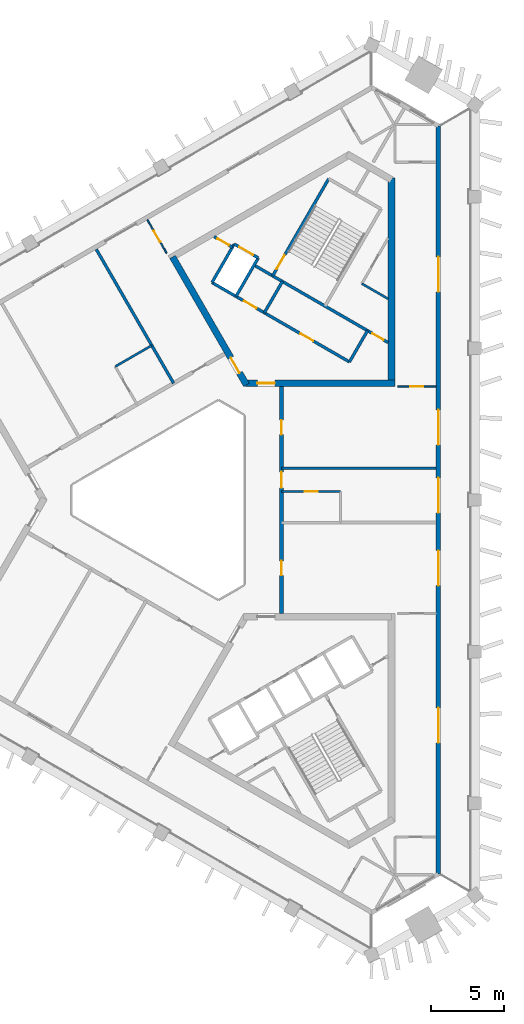
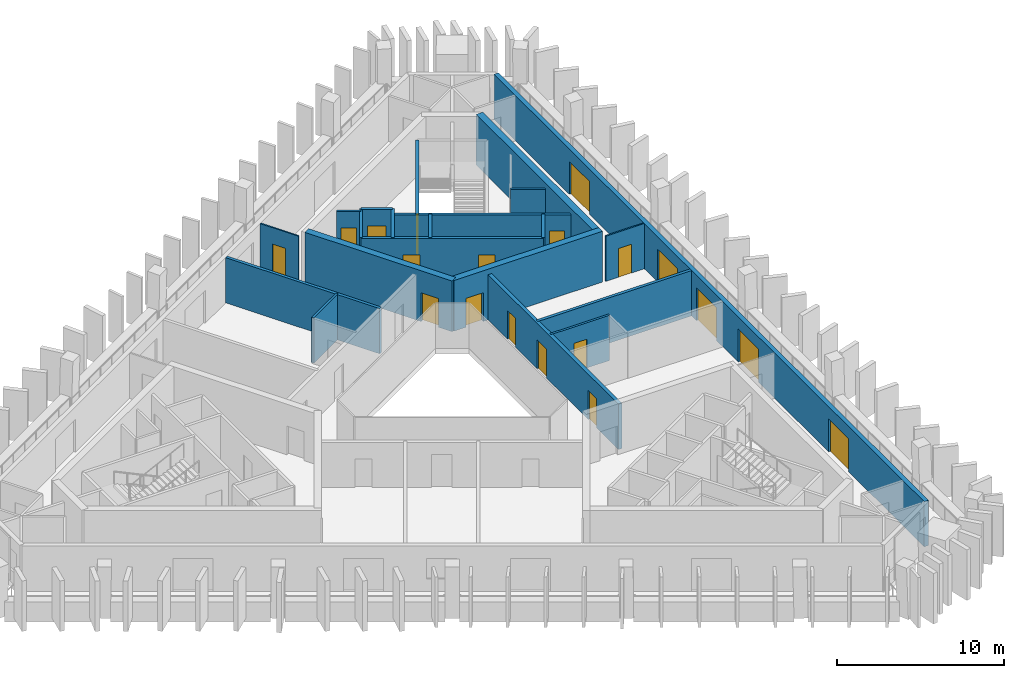
# One storey, part 5 of 9: 21 walls, 19 doors, 19 openings.
"""IFC4 building model written with IfcOpenShell, lengths in metres."""

from ifc_helpers import new_model, si_unit, direction, frame, frame_2d, origin, place, context, subcontext, project, spatial, rectangle, extrude, material, layer, layer_set, type_object, element, fill, save


model = new_model("IFC4")

# Units and contexts
model_context = context("Model", 3, precision=1e-05, world=origin(), true_north=direction((0.0, 1.0)))
body_context = subcontext(model_context, "Body", "Model", "MODEL_VIEW")
ifc_project = project(units=[si_unit("LENGTHUNIT", "METRE"), si_unit("AREAUNIT", "SQUARE_METRE"), si_unit("VOLUMEUNIT", "CUBIC_METRE"), si_unit("PLANEANGLEUNIT", "RADIAN"), si_unit("MASSUNIT", "GRAM", prefix="KILO")], contexts=[model_context])

# Site, building, storey
site_placement = place(None, origin())
site = spatial("IfcSite", under=ifc_project, at=site_placement, CompositionType="ELEMENT")
building_placement = place(site_placement, origin())
building = spatial("IfcBuilding", under=site, at=building_placement, Name="Jabali Bay Hotel Tower and Convention Centre", CompositionType="ELEMENT")
storey_placement = place(building_placement, frame((0.0, 0.0, 209.5)))
storey = spatial("IfcBuildingStorey", under=building, at=storey_placement, Name="L51", CompositionType="ELEMENT", Elevation=209.5)

# Wall, opening, door
ifc_material_1 = material(Name="Concrete C40", Category="concrete")
ifc_layer_1 = layer(ifc_material_1, 0.199951171875)
ifc_layer_set_1 = layer_set([ifc_layer_1], Name="Concrete C40")
wall_type_1 = type_object("IfcWallType", Name="Core partition wall 200", PredefinedType="PARTITIONING", material=ifc_layer_set_1)
wall_1_placement = place(storey_placement, frame((78.730224609375, 97.36083984375, 0.0), z_axis=(0.0, 0.0, 1.0), x_axis=(-0.866045896294, 0.499964504253, 0.0)))
wall_1 = element("IfcWall", 1, at=wall_1_placement, inside=storey, type_object=wall_type_1, Name="Core wall 1.10 L51", PredefinedType="PARTITIONING", context=body_context, shape_type="SweptSolid", body=[
    extrude(rectangle(XDim=1.455078125, YDim=0.199951171875, at=frame_2d((0.7275390625, 0.0))), origin(), (0.0, 0.0, 1.0), 3.300048828125),
])
opening_1_placement = place(wall_1_placement, frame((0.277587890625, 0.0, 0.0)))
opening_1 = element("IfcOpeningElement", 2, at=opening_1_placement, cuts=wall_1, Name="Opening D1107", PredefinedType="OPENING", context=body_context, shape_type="SweptSolid", body=[
    extrude(rectangle(XDim=0.89990234375, YDim=2.10009765625, at=frame_2d((0.449951171875, 1.050048828125))), frame((0.0, 0.1103515625, 0.0), z_axis=(0.0, -1.0, 0.0), x_axis=(1.0, 0.0, 0.0)), (0.0, 0.0, 1.0), 0.220947265625),
])
ifc_material_2 = material(Name="Fire-rated steel door", Category="steel")
door_type_1 = type_object("IfcDoorType", Name="Vestibule fire door 900 x 2100", OperationType="NOTDEFINED", PredefinedType="NOTDEFINED", material=ifc_material_2)
door_1_placement = place(opening_1_placement, origin())
door_1 = element("IfcDoor", 3, at=door_1_placement, inside=storey, type_object=door_type_1, Name="Vestibule fire door D1107", OperationType="SINGLE_SWING_LEFT", OverallHeight=2.10009765625, OverallWidth=0.89990234375, PredefinedType="NOTDEFINED", context=body_context, shape_type="SweptSolid", body=[
    extrude(rectangle(XDim=0.89990234375, YDim=2.10009765625, at=frame_2d((0.449951171875, 1.050048828125))), frame((0.0, 0.02490234375, 0.0), z_axis=(0.0, -1.0, 0.0), x_axis=(1.0, 0.0, 0.0)), (0.0, 0.0, 1.0), 0.050048828125),
])
fill(opening_1, door_1)

# Walls
ifc_material_3 = material(Name="Fire-rated board partition")
ifc_layer_2 = layer(ifc_material_3, 0.14990234375)
ifc_layer_set_2 = layer_set([ifc_layer_2], Name="Fire-rated board partition")
wall_type_2 = type_object("IfcWallType", Name="Core room partition 150", PredefinedType="PARTITIONING", material=ifc_layer_set_2)
wall_2_placement = place(storey_placement, frame((89.429931640625, 93.81591796875, 0.0), z_axis=(0.0, 0.0, 1.0), x_axis=(-0.866004557827, 0.500036104519, 0.0)))
element("IfcWall", 4, at=wall_2_placement, inside=storey, type_object=wall_type_2, Name="Core wall 1.12 L51", PredefinedType="PARTITIONING", context=body_context, shape_type="SweptSolid", body=[
    extrude(rectangle(XDim=2.088623046875, YDim=0.14990234375, at=frame_2d((1.04443359375, 0.0))), origin(), (0.0, 0.0, 1.0), 3.300048828125),
])
ifc_layer_3 = layer(ifc_material_1, 0.199951171875)
ifc_layer_set_3 = layer_set([ifc_layer_3], Name="Concrete C40")
wall_type_3 = type_object("IfcWallType", Name="Core stair wall 200", PredefinedType="SOLIDWALL", material=ifc_layer_set_3)
for number, where, z_axis, x_axis, name in (
    (5, (86.769775390625, 89.48583984375, 0.0), (0.0, 0.0, 1.0), (0.499961042966, 0.86604789447, 0.0), "Core wall 1.0 L51"),
    (6, (80.924072265625, 92.86083984375, 0.0), (0.0, 0.0, 1.0), (0.499961042966, 0.86604789447, 0.0), "Core wall 1.4 L51"),
):
    element("IfcWall", number, at=place(storey_placement, frame(where, z_axis=z_axis, x_axis=x_axis)), inside=storey, type_object=wall_type_3, Name=name, PredefinedType="SOLIDWALL", context=body_context, shape_type="SweptSolid", body=[
        extrude(rectangle(XDim=2.480224609375, YDim=0.199951171875, at=frame_2d((1.240234375, 0.0))), origin(), (0.0, 0.0, 1.0), 3.300048828125),
    ])

# Wall, opening, door
wall_3_placement = place(storey_placement, frame((81.492919921875, 95.396240234375, 0.0), z_axis=(0.0, 0.0, 1.0), x_axis=(0.500006057782, 0.866021906294, 0.0)))
wall_3 = element("IfcWall", 7, at=wall_3_placement, inside=storey, type_object=wall_type_3, Name="Core wall 1.5 L51", PredefinedType="SOLIDWALL", context=body_context, shape_type="SweptSolid", body=[
    extrude(rectangle(XDim=7.7001953125, YDim=0.199951171875, at=frame_2d((3.85009765625, 0.0))), origin(), (0.0, 0.0, 1.0), 3.300048828125),
])
opening_2_placement = place(wall_3_placement, frame((0.550048828125, 0.0, 0.0)))
opening_2 = element("IfcOpeningElement", 8, at=opening_2_placement, cuts=wall_3, Name="Opening D1109", PredefinedType="OPENING", context=body_context, shape_type="SweptSolid", body=[
    extrude(rectangle(XDim=1.10009765625, YDim=2.10009765625, at=frame_2d((0.550048828125, 1.050048828125))), frame((0.0, 0.1103515625, 0.0), z_axis=(0.0, -1.0, 0.0), x_axis=(1.0, 0.0, 0.0)), (0.0, 0.0, 1.0), 0.220947265625),
])
door_type_2 = type_object("IfcDoorType", Name="Stair fire door 1100 x 2100", OperationType="NOTDEFINED", PredefinedType="NOTDEFINED", material=ifc_material_2)
door_2_placement = place(opening_2_placement, origin())
door_2 = element("IfcDoor", 9, at=door_2_placement, inside=storey, type_object=door_type_2, Name="Stair fire door D1109", OperationType="SINGLE_SWING_RIGHT", OverallHeight=2.10009765625, OverallWidth=1.10009765625, PredefinedType="NOTDEFINED", context=body_context, shape_type="SweptSolid", body=[
    extrude(rectangle(XDim=1.10009765625, YDim=2.10009765625, at=frame_2d((0.550048828125, 1.050048828125))), frame((0.0, 0.02490234375, 0.0), z_axis=(0.0, -1.0, 0.0), x_axis=(1.0, 0.0, 0.0)), (0.0, 0.0, 1.0), 0.050048828125),
])
fill(opening_2, door_2)

# Walls
for number, where, z_axis, x_axis, name in (
    (10, (78.9755859375, 93.98583984375, 0.0), (0.0, 0.0, 1.0), (0.499944174705, 0.866057632134, 0.0), "Core wall 1.6 L51"),
    (11, (77.330078125, 94.93603515625, 0.0), (0.0, 0.0, 1.0), (0.500038867431, 0.8660029625, 0.0), "Core wall 1.7 L51"),
):
    element("IfcWall", number, at=place(storey_placement, frame(where, z_axis=z_axis, x_axis=x_axis)), inside=storey, type_object=wall_type_3, Name=name, PredefinedType="SOLIDWALL", context=body_context, shape_type="SweptSolid", body=[
        extrude(rectangle(XDim=3.050048828125, YDim=0.199951171875, at=frame_2d((1.52490234375, 0.0))), origin(), (0.0, 0.0, 1.0), 3.300048828125),
    ])

# Wall, openings, doors
wall_4_placement = place(storey_placement, frame((86.769775390625, 89.48583984375, 0.0), z_axis=(0.0, 0.0, 1.0), x_axis=(-0.86601811187, 0.500012629753, 0.0)))
wall_4 = element("IfcWall", 12, at=wall_4_placement, inside=storey, type_object=wall_type_3, Name="Core wall 1.8 L51", PredefinedType="SOLIDWALL", context=body_context, shape_type="SweptSolid", body=[
    extrude(rectangle(XDim=10.900146484375, YDim=0.199951171875, at=frame_2d((5.4501953125, 0.0))), origin(), (0.0, 0.0, 1.0), 3.300048828125),
])
opening_3_placement = place(wall_4_placement, frame((2.875, 0.0, 0.0)))
opening_3 = element("IfcOpeningElement", 13, at=opening_3_placement, cuts=wall_4, Name="Opening D1105", PredefinedType="OPENING", context=body_context, shape_type="SweptSolid", body=[
    extrude(rectangle(XDim=1.0, YDim=2.10009765625, at=frame_2d((0.5, 1.050048828125))), frame((0.0, 0.1103515625, 0.0), z_axis=(0.0, -1.0, 0.0), x_axis=(1.0, 0.0, 0.0)), (0.0, 0.0, 1.0), 0.220947265625),
])
opening_4_placement = place(wall_4_placement, frame((7.375, 0.0, 0.0)))
opening_4 = element("IfcOpeningElement", 14, at=opening_4_placement, cuts=wall_4, Name="Opening D1106", PredefinedType="OPENING", context=body_context, shape_type="SweptSolid", body=[
    extrude(rectangle(XDim=1.0, YDim=2.10009765625, at=frame_2d((0.5, 1.050048828125))), frame((0.0, 0.1103515625, 0.0), z_axis=(0.0, -1.0, 0.0), x_axis=(1.0, 0.0, 0.0)), (0.0, 0.0, 1.0), 0.220947265625),
])
door_type_3 = type_object("IfcDoorType", Name="Core room door 1000 x 2100", OperationType="NOTDEFINED", PredefinedType="NOTDEFINED", material=ifc_material_2)
door_3_placement = place(opening_3_placement, origin())
door_3 = element("IfcDoor", 15, at=door_3_placement, inside=storey, type_object=door_type_3, Name="Core room door D1105", OperationType="SINGLE_SWING_RIGHT", OverallHeight=2.10009765625, OverallWidth=1.0, PredefinedType="NOTDEFINED", context=body_context, shape_type="SweptSolid", body=[
    extrude(rectangle(XDim=1.0, YDim=2.10009765625, at=frame_2d((0.5, 1.050048828125))), frame((0.0, 0.02490234375, 0.0), z_axis=(0.0, -1.0, 0.0), x_axis=(1.0, 0.0, 0.0)), (0.0, 0.0, 1.0), 0.050048828125),
])
fill(opening_3, door_3)
door_4_placement = place(opening_4_placement, origin())
door_4 = element("IfcDoor", 16, at=door_4_placement, inside=storey, type_object=door_type_3, Name="Core room door D1106", OperationType="SINGLE_SWING_RIGHT", OverallHeight=2.10009765625, OverallWidth=1.0, PredefinedType="NOTDEFINED", context=body_context, shape_type="SweptSolid", body=[
    extrude(rectangle(XDim=1.0, YDim=2.10009765625, at=frame_2d((0.5, 1.050048828125))), frame((0.0, 0.02490234375, 0.0), z_axis=(0.0, -1.0, 0.0), x_axis=(1.0, 0.0, 0.0)), (0.0, 0.0, 1.0), 0.050048828125),
])
fill(opening_4, door_4)

# Wall, opening, door
wall_5_placement = place(storey_placement, frame((89.429931640625, 90.813720703125, 0.0), z_axis=(0.0, 0.0, 1.0), x_axis=(-0.866018983788, 0.500011119594, 0.0)))
wall_5 = element("IfcWall", 17, at=wall_5_placement, inside=storey, type_object=wall_type_3, Name="Core wall 1.9 L51", PredefinedType="SOLIDWALL", context=body_context, shape_type="SweptSolid", body=[
    extrude(rectangle(XDim=10.639892578125, YDim=0.199951171875, at=frame_2d((5.31982421875, 0.0))), origin(), (0.0, 0.0, 1.0), 3.300048828125),
])
opening_5_placement = place(wall_5_placement, frame((0.369873046875, 0.0, 0.0)))
opening_5 = element("IfcOpeningElement", 18, at=opening_5_placement, cuts=wall_5, Name="Opening D1108", PredefinedType="OPENING", context=body_context, shape_type="SweptSolid", body=[
    extrude(rectangle(XDim=0.89990234375, YDim=2.10009765625, at=frame_2d((0.449951171875, 1.050048828125))), frame((0.0, 0.1103515625, 0.0), z_axis=(0.0, -1.0, 0.0), x_axis=(1.0, 0.0, 0.0)), (0.0, 0.0, 1.0), 0.220947265625),
])
door_5_placement = place(opening_5_placement, origin())
door_5 = element("IfcDoor", 19, at=door_5_placement, inside=storey, type_object=door_type_1, Name="Vestibule fire door D1108", OperationType="SINGLE_SWING_LEFT", OverallHeight=2.10009765625, OverallWidth=0.89990234375, PredefinedType="NOTDEFINED", context=body_context, shape_type="SweptSolid", body=[
    extrude(rectangle(XDim=0.89990234375, YDim=2.10009765625, at=frame_2d((0.449951171875, 1.050048828125))), frame((0.0, 0.02490234375, 0.0), z_axis=(0.0, -1.0, 0.0), x_axis=(1.0, 0.0, 0.0)), (0.0, 0.0, 1.0), 0.050048828125),
])
fill(opening_5, door_5)

wall_6_placement = place(storey_placement, frame((80.50048828125, 96.62744140625, 0.0), z_axis=(0.0, 0.0, 1.0), x_axis=(-0.86601224135, 0.500022797313, 0.0)))
wall_6 = element("IfcWall", 20, at=wall_6_placement, inside=storey, type_object=wall_type_3, Name="Core wall 1.11 L51", PredefinedType="SOLIDWALL", context=body_context, shape_type="SweptSolid", body=[
    extrude(rectangle(XDim=1.89990234375, YDim=0.199951171875, at=frame_2d((0.949951171875, 0.0))), origin(), (0.0, 0.0, 1.0), 3.300048828125),
])
opening_6_placement = place(wall_6_placement, frame((0.39990234375, 0.0, 0.0)))
opening_6 = element("IfcOpeningElement", 21, at=opening_6_placement, cuts=wall_6, Name="Opening LD10-L51", PredefinedType="OPENING", context=body_context, shape_type="SweptSolid", body=[
    extrude(rectangle(XDim=1.10009765625, YDim=2.10009765625, at=frame_2d((0.550048828125, 1.050048828125))), frame((0.0, 0.1103515625, 0.0), z_axis=(0.0, -1.0, 0.0), x_axis=(1.0, 0.0, 0.0)), (0.0, 0.0, 1.0), 0.220947265625),
])
ifc_material_4 = material(Name="Stainless steel landing door", Category="steel")
door_type_4 = type_object("IfcDoorType", Name="Landing door 1100 x 2100", OperationType="NOTDEFINED", PredefinedType="NOTDEFINED", material=ifc_material_4)
door_6_placement = place(opening_6_placement, origin())
door_6 = element("IfcDoor", 22, at=door_6_placement, inside=storey, type_object=door_type_4, Name="Landing doors LD10-L51", OperationType="SLIDING_TO_RIGHT", OverallHeight=2.10009765625, OverallWidth=1.10009765625, PredefinedType="NOTDEFINED", context=body_context, shape_type="SweptSolid", body=[
    extrude(rectangle(XDim=1.10009765625, YDim=2.10009765625, at=frame_2d((0.550048828125, 1.050048828125))), frame((0.0, 0.02490234375, 0.0), z_axis=(0.0, -1.0, 0.0), x_axis=(1.0, 0.0, 0.0)), (0.0, 0.0, 1.0), 0.050048828125),
])
fill(opening_6, door_6)

ifc_material_5 = material(Name="Concrete C60", Category="concrete")
ifc_layer_4 = layer(ifc_material_5, 0.449951171875)
ifc_layer_set_4 = layer_set([ifc_layer_4], Name="Concrete C60")
wall_type_4 = type_object("IfcWallType", Name="Core wall 450", PredefinedType="SHEAR", material=ifc_layer_set_4)
wall_7_placement = place(storey_placement, frame((79.6298828125, 88.019287109375, 0.0), z_axis=(0.0, 0.0, 1.0), x_axis=(1.0, 0.0, 0.0)))
wall_7 = element("IfcWall", 23, at=wall_7_placement, inside=storey, type_object=wall_type_4, Name="Core wall 2.1 L51", PredefinedType="SHEAR", context=body_context, shape_type="SweptSolid", body=[
    extrude(rectangle(XDim=10.25, YDim=0.449951171875, at=frame_2d((5.125, 0.0))), origin(), (0.0, 0.0, 1.0), 3.699951171875),
])
opening_7_placement = place(wall_7_placement, frame((0.820068359375, 0.0, 0.0)))
opening_7 = element("IfcOpeningElement", 24, at=opening_7_placement, cuts=wall_7, Name="Opening D1103", PredefinedType="OPENING", context=body_context, shape_type="SweptSolid", body=[
    extrude(rectangle(XDim=1.199951171875, YDim=2.10009765625, at=frame_2d((0.60009765625, 1.050048828125))), frame((0.0, 0.2353515625, 0.0), z_axis=(0.0, -1.0, 0.0), x_axis=(1.0, 0.0, 0.0)), (0.0, 0.0, 1.0), 0.470947265625),
])
door_type_5 = type_object("IfcDoorType", Name="Corridor end fire door 1200 x 2100", OperationType="NOTDEFINED", PredefinedType="NOTDEFINED", material=ifc_material_2)
door_7_placement = place(opening_7_placement, origin())
door_7 = element("IfcDoor", 25, at=door_7_placement, inside=storey, type_object=door_type_5, Name="Corridor end fire door D1103", OperationType="SINGLE_SWING_RIGHT", OverallHeight=2.10009765625, OverallWidth=1.199951171875, PredefinedType="NOTDEFINED", context=body_context, shape_type="SweptSolid", body=[
    extrude(rectangle(XDim=1.199951171875, YDim=2.10009765625, at=frame_2d((0.60009765625, 1.050048828125))), frame((0.0, 0.02490234375, 0.0), z_axis=(0.0, -1.0, 0.0), x_axis=(1.0, 0.0, 0.0)), (0.0, 0.0, 1.0), 0.050048828125),
])
fill(opening_7, door_7)

# Wall
wall_8_placement = place(storey_placement, frame((89.655029296875, 88.019287109375, 0.0), z_axis=(0.0, 0.0, 1.0), x_axis=(0.0, 1.0, 0.0)))
element("IfcWall", 26, at=wall_8_placement, inside=storey, type_object=wall_type_4, Name="Core wall 2.2 L51", PredefinedType="SHEAR", context=body_context, shape_type="SweptSolid", body=[
    extrude(rectangle(XDim=14.1083984375, YDim=0.449951171875, at=frame_2d((7.05419921875, 0.0))), origin(), (0.0, 0.0, 1.0), 3.699951171875),
])

# Wall, opening, door
wall_9_placement = place(storey_placement, frame((74.617431640625, 96.701171875, 0.0), z_axis=(0.0, 0.0, 1.0), x_axis=(0.499994385119, -0.866028645513, 0.0)))
wall_9 = element("IfcWall", 27, at=wall_9_placement, inside=storey, type_object=wall_type_4, Name="Core wall 2.5 L51", PredefinedType="SHEAR", context=body_context, shape_type="SweptSolid", body=[
    extrude(rectangle(XDim=10.15478515625, YDim=0.449951171875, at=frame_2d((5.077392578125, 0.0))), origin(), (0.0, 0.0, 1.0), 3.699951171875),
])
opening_8_placement = place(wall_9_placement, frame((8.0048828125, 0.0, 0.0)))
opening_8 = element("IfcOpeningElement", 28, at=opening_8_placement, cuts=wall_9, Name="Opening D1104", PredefinedType="OPENING", context=body_context, shape_type="SweptSolid", body=[
    extrude(rectangle(XDim=1.199951171875, YDim=2.10009765625, at=frame_2d((0.60009765625, 1.050048828125))), frame((0.0, 0.2353515625, 0.0), z_axis=(0.0, -1.0, 0.0), x_axis=(1.0, 0.0, 0.0)), (0.0, 0.0, 1.0), 0.470947265625),
])
door_8_placement = place(opening_8_placement, origin())
door_8 = element("IfcDoor", 29, at=door_8_placement, inside=storey, type_object=door_type_5, Name="Corridor end fire door D1104", OperationType="SINGLE_SWING_LEFT", OverallHeight=2.10009765625, OverallWidth=1.199951171875, PredefinedType="NOTDEFINED", context=body_context, shape_type="SweptSolid", body=[
    extrude(rectangle(XDim=1.199951171875, YDim=2.10009765625, at=frame_2d((0.60009765625, 1.050048828125))), frame((0.0, 0.02490234375, 0.0), z_axis=(0.0, -1.0, 0.0), x_axis=(1.0, 0.0, 0.0)), (0.0, 0.0, 1.0), 0.050048828125),
])
fill(opening_8, door_8)

# Wall, openings, doors
ifc_layer_5 = layer(ifc_material_5, 0.25)
ifc_layer_set_5 = layer_set([ifc_layer_5], Name="Concrete C60")
wall_type_5 = type_object("IfcWallType", Name="Corridor wall 250", PredefinedType="SHEAR", material=ifc_layer_set_5)
wall_10_placement = place(storey_placement, frame((82.10009765625, 72.205810546875, 0.0), z_axis=(0.0, 0.0, 1.0), x_axis=(0.0, 1.0, 0.0)))
wall_10 = element("IfcWall", 30, at=wall_10_placement, inside=storey, type_object=wall_type_5, Name="Corridor wall 1 L51", PredefinedType="SHEAR", context=body_context, shape_type="SweptSolid", body=[
    extrude(rectangle(XDim=15.58837890625, YDim=0.25, at=frame_2d((7.794189453125, 0.0))), origin(), (0.0, 0.0, 1.0), 3.300048828125),
])
opening_9_placement = place(wall_10_placement, frame((2.61767578125, 0.0, 0.0)))
opening_9 = element("IfcOpeningElement", 31, at=opening_9_placement, cuts=wall_10, Name="Opening 5101", PredefinedType="OPENING", context=body_context, shape_type="SweptSolid", body=[
    extrude(rectangle(XDim=1.0, YDim=2.10009765625, at=frame_2d((0.5, 1.050048828125))), frame((0.0, 0.135498046875, 0.0), z_axis=(0.0, -1.0, 0.0), x_axis=(1.0, 0.0, 0.0)), (0.0, 0.0, 1.0), 0.27099609375),
])
opening_10_placement = place(wall_10_placement, frame((8.626708984375, 0.0, 0.0)))
opening_10 = element("IfcOpeningElement", 32, at=opening_10_placement, cuts=wall_10, Name="Opening 5105", PredefinedType="OPENING", context=body_context, shape_type="SweptSolid", body=[
    extrude(rectangle(XDim=1.10009765625, YDim=2.10009765625, at=frame_2d((0.550048828125, 1.050048828125))), frame((0.0, 0.135498046875, 0.0), z_axis=(0.0, -1.0, 0.0), x_axis=(1.0, 0.0, 0.0)), (0.0, 0.0, 1.0), 0.27099609375),
])
opening_11_placement = place(wall_10_placement, frame((12.282470703125, 0.0, 0.0)))
opening_11 = element("IfcOpeningElement", 33, at=opening_11_placement, cuts=wall_10, Name="Opening 5106", PredefinedType="OPENING", context=body_context, shape_type="SweptSolid", body=[
    extrude(rectangle(XDim=1.0, YDim=2.10009765625, at=frame_2d((0.5, 1.050048828125))), frame((0.0, 0.135498046875, 0.0), z_axis=(0.0, -1.0, 0.0), x_axis=(1.0, 0.0, 0.0)), (0.0, 0.0, 1.0), 0.27099609375),
])
ifc_material_6 = material(Name="Timber", Category="wood")
door_type_6 = type_object("IfcDoorType", Name="Accessible guest room door 1100 x 2100", OperationType="NOTDEFINED", PredefinedType="NOTDEFINED", material=ifc_material_6)
door_9_placement = place(opening_10_placement, origin())
door_9 = element("IfcDoor", 34, at=door_9_placement, inside=storey, type_object=door_type_6, Name="Door 5105", OperationType="SINGLE_SWING_RIGHT", OverallHeight=2.10009765625, OverallWidth=1.10009765625, PredefinedType="NOTDEFINED", context=body_context, shape_type="SweptSolid", body=[
    extrude(rectangle(XDim=1.10009765625, YDim=2.10009765625, at=frame_2d((0.550048828125, 1.050048828125))), frame((0.0, 0.02490234375, 0.0), z_axis=(0.0, -1.0, 0.0), x_axis=(1.0, 0.0, 0.0)), (0.0, 0.0, 1.0), 0.050048828125),
])
fill(opening_10, door_9)
door_type_7 = type_object("IfcDoorType", Name="Guest room door 1000 x 2100", OperationType="NOTDEFINED", PredefinedType="NOTDEFINED", material=ifc_material_6)
door_10_placement = place(opening_9_placement, origin())
door_10 = element("IfcDoor", 35, at=door_10_placement, inside=storey, type_object=door_type_7, Name="Door 5101", OperationType="SINGLE_SWING_LEFT", OverallHeight=2.10009765625, OverallWidth=1.0, PredefinedType="NOTDEFINED", context=body_context, shape_type="SweptSolid", body=[
    extrude(rectangle(XDim=1.0, YDim=2.10009765625, at=frame_2d((0.5, 1.050048828125))), frame((0.0, 0.02490234375, 0.0), z_axis=(0.0, -1.0, 0.0), x_axis=(1.0, 0.0, 0.0)), (0.0, 0.0, 1.0), 0.050048828125),
])
fill(opening_9, door_10)
door_11_placement = place(opening_11_placement, origin())
door_11 = element("IfcDoor", 36, at=door_11_placement, inside=storey, type_object=door_type_7, Name="Door 5106", OperationType="SINGLE_SWING_RIGHT", OverallHeight=2.10009765625, OverallWidth=1.0, PredefinedType="NOTDEFINED", context=body_context, shape_type="SweptSolid", body=[
    extrude(rectangle(XDim=1.0, YDim=2.10009765625, at=frame_2d((0.5, 1.050048828125))), frame((0.0, 0.02490234375, 0.0), z_axis=(0.0, -1.0, 0.0), x_axis=(1.0, 0.0, 0.0)), (0.0, 0.0, 1.0), 0.050048828125),
])
fill(opening_11, door_11)

ifc_layer_6 = layer(ifc_material_1, 0.300048828125)
ifc_layer_set_6 = layer_set([ifc_layer_6], Name="Concrete C40")
wall_type_6 = type_object("IfcWallType", Name="External wall 300", PredefinedType="SOLIDWALL", material=ifc_layer_set_6)
wall_11_placement = place(storey_placement, frame((92.8759765625, 105.703125, 0.0), z_axis=(0.0, 0.0, 1.0), x_axis=(0.0, -1.0, 0.0)))
wall_11 = element("IfcWall", 37, at=wall_11_placement, inside=storey, type_object=wall_type_6, Name="External wall east face L51", PredefinedType="SOLIDWALL", context=body_context, shape_type="SweptSolid", body=[
    extrude(rectangle(XDim=51.40625, YDim=0.300048828125, at=frame_2d((25.703125, 0.0))), origin(), (0.0, 0.0, 1.0), 3.300048828125),
])
opening_12_placement = place(wall_11_placement, frame((24.19140625, 0.0, 0.0)))
opening_12 = element("IfcOpeningElement", 38, at=opening_12_placement, cuts=wall_11, Name="Opening SD1", PredefinedType="OPENING", context=body_context, shape_type="SweptSolid", body=[
    extrude(rectangle(XDim=2.39990234375, YDim=2.39990234375, at=frame_2d((1.199951171875, 1.199951171875))), frame((0.0, 0.16064453125, 0.0), z_axis=(0.0, -1.0, 0.0), x_axis=(1.0, 0.0, 0.0)), (0.0, 0.0, 1.0), 0.321044921875),
])
opening_13_placement = place(wall_11_placement, frame((29.1796875, 0.0, 0.0)))
opening_13 = element("IfcOpeningElement", 39, at=opening_13_placement, cuts=wall_11, Name="Opening SD1", PredefinedType="OPENING", context=body_context, shape_type="SweptSolid", body=[
    extrude(rectangle(XDim=2.39990234375, YDim=2.39990234375, at=frame_2d((1.199951171875, 1.199951171875))), frame((0.0, 0.16064453125, 0.0), z_axis=(0.0, -1.0, 0.0), x_axis=(1.0, 0.0, 0.0)), (0.0, 0.0, 1.0), 0.321044921875),
])
opening_14_placement = place(wall_11_placement, frame((39.983154296875, 0.0, 0.0)))
opening_14 = element("IfcOpeningElement", 40, at=opening_14_placement, cuts=wall_11, Name="Opening SD1", PredefinedType="OPENING", context=body_context, shape_type="SweptSolid", body=[
    extrude(rectangle(XDim=2.39990234375, YDim=2.39990234375, at=frame_2d((1.199951171875, 1.199951171875))), frame((0.0, 0.16064453125, 0.0), z_axis=(0.0, -1.0, 0.0), x_axis=(1.0, 0.0, 0.0)), (0.0, 0.0, 1.0), 0.321044921875),
])
opening_15_placement = place(wall_11_placement, frame((19.514892578125, 0.0, 0.0)))
opening_15 = element("IfcOpeningElement", 41, at=opening_15_placement, cuts=wall_11, Name="Opening SD1", PredefinedType="OPENING", context=body_context, shape_type="SweptSolid", body=[
    extrude(rectangle(XDim=2.39990234375, YDim=2.39990234375, at=frame_2d((1.199951171875, 1.199951171875))), frame((0.0, 0.16064453125, 0.0), z_axis=(0.0, -1.0, 0.0), x_axis=(1.0, 0.0, 0.0)), (0.0, 0.0, 1.0), 0.321044921875),
])
opening_16_placement = place(wall_11_placement, frame((9.0, 0.0, 0.0)))
opening_16 = element("IfcOpeningElement", 42, at=opening_16_placement, cuts=wall_11, Name="Opening SD1", PredefinedType="OPENING", context=body_context, shape_type="SweptSolid", body=[
    extrude(rectangle(XDim=2.39990234375, YDim=2.39990234375, at=frame_2d((1.199951171875, 1.199951171875))), frame((0.0, 0.16064453125, 0.0), z_axis=(0.0, -1.0, 0.0), x_axis=(1.0, 0.0, 0.0)), (0.0, 0.0, 1.0), 0.321044921875),
])
ifc_material_7 = material(Name="Glass", Category="glass")
door_type_8 = type_object("IfcDoorType", Name="Loggia sliding door 2400 x 2400", OperationType="NOTDEFINED", PredefinedType="NOTDEFINED", material=ifc_material_7)
door_12_placement = place(opening_12_placement, origin())
door_12 = element("IfcDoor", 43, at=door_12_placement, inside=storey, type_object=door_type_8, Name="Loggia sliding door 5102", OperationType="SLIDING_TO_LEFT", OverallHeight=2.39990234375, OverallWidth=2.39990234375, PredefinedType="NOTDEFINED", context=body_context, shape_type="SweptSolid", body=[
    extrude(rectangle(XDim=2.39990234375, YDim=2.39990234375, at=frame_2d((1.199951171875, 1.199951171875))), frame((0.0, 0.02490234375, 0.0), z_axis=(0.0, -1.0, 0.0), x_axis=(1.0, 0.0, 0.0)), (0.0, 0.0, 1.0), 0.050048828125),
])
fill(opening_12, door_12)
door_13_placement = place(opening_13_placement, origin())
door_13 = element("IfcDoor", 44, at=door_13_placement, inside=storey, type_object=door_type_8, Name="Loggia sliding door 5101", OperationType="SLIDING_TO_RIGHT", OverallHeight=2.39990234375, OverallWidth=2.39990234375, PredefinedType="NOTDEFINED", context=body_context, shape_type="SweptSolid", body=[
    extrude(rectangle(XDim=2.39990234375, YDim=2.39990234375, at=frame_2d((1.199951171875, 1.199951171875))), frame((0.0, 0.02490234375, 0.0), z_axis=(0.0, -1.0, 0.0), x_axis=(1.0, 0.0, 0.0)), (0.0, 0.0, 1.0), 0.050048828125),
])
fill(opening_13, door_13)
door_14_placement = place(opening_14_placement, origin())
door_14 = element("IfcDoor", 45, at=door_14_placement, inside=storey, type_object=door_type_8, Name="Loggia sliding door 5101", OperationType="SLIDING_TO_LEFT", OverallHeight=2.39990234375, OverallWidth=2.39990234375, PredefinedType="NOTDEFINED", context=body_context, shape_type="SweptSolid", body=[
    extrude(rectangle(XDim=2.39990234375, YDim=2.39990234375, at=frame_2d((1.199951171875, 1.199951171875))), frame((0.0, 0.02490234375, 0.0), z_axis=(0.0, -1.0, 0.0), x_axis=(1.0, 0.0, 0.0)), (0.0, 0.0, 1.0), 0.050048828125),
])
fill(opening_14, door_14)
door_15_placement = place(opening_15_placement, origin())
door_15 = element("IfcDoor", 46, at=door_15_placement, inside=storey, type_object=door_type_8, Name="Loggia sliding door 5103", OperationType="SLIDING_TO_RIGHT", OverallHeight=2.39990234375, OverallWidth=2.39990234375, PredefinedType="NOTDEFINED", context=body_context, shape_type="SweptSolid", body=[
    extrude(rectangle(XDim=2.39990234375, YDim=2.39990234375, at=frame_2d((1.199951171875, 1.199951171875))), frame((0.0, 0.02490234375, 0.0), z_axis=(0.0, -1.0, 0.0), x_axis=(1.0, 0.0, 0.0)), (0.0, 0.0, 1.0), 0.050048828125),
])
fill(opening_15, door_15)
door_16_placement = place(opening_16_placement, origin())
door_16 = element("IfcDoor", 47, at=door_16_placement, inside=storey, type_object=door_type_8, Name="Loggia sliding door 5103", OperationType="SLIDING_TO_LEFT", OverallHeight=2.39990234375, OverallWidth=2.39990234375, PredefinedType="NOTDEFINED", context=body_context, shape_type="SweptSolid", body=[
    extrude(rectangle(XDim=2.39990234375, YDim=2.39990234375, at=frame_2d((1.199951171875, 1.199951171875))), frame((0.0, 0.02490234375, 0.0), z_axis=(0.0, -1.0, 0.0), x_axis=(1.0, 0.0, 0.0)), (0.0, 0.0, 1.0), 0.050048828125),
])
fill(opening_16, door_16)

# Wall, opening, door
ifc_material_8 = material(Name="Plasterboard on steel stud", Category="steel")
ifc_layer_7 = layer(ifc_material_8, 0.10009765625)
ifc_layer_set_7 = layer_set([ifc_layer_7], Name="Plasterboard on steel stud")
wall_type_7 = type_object("IfcWallType", Name="Partition 100 unit", PredefinedType="PARTITIONING", material=ifc_layer_set_7)
wall_12_placement = place(storey_placement, frame((92.72705078125, 87.794189453125, 0.0), z_axis=(0.0, 0.0, 1.0), x_axis=(-1.0, 0.0, 0.0)))
wall_12 = element("IfcWall", 48, at=wall_12_placement, inside=storey, type_object=wall_type_7, Name="Partition P02 L51 011", PredefinedType="PARTITIONING", context=body_context, shape_type="SweptSolid", body=[
    extrude(rectangle(XDim=2.64794921875, YDim=0.10009765625, at=frame_2d((1.323974609375, 0.0))), origin(), (0.0, 0.0, 1.0), 3.300048828125),
])
opening_17_placement = place(wall_12_placement, frame((0.8740234375, 0.0, 0.0)))
opening_17 = element("IfcOpeningElement", 49, at=opening_17_placement, cuts=wall_12, Name="Opening 5107", PredefinedType="OPENING", context=body_context, shape_type="SweptSolid", body=[
    extrude(rectangle(XDim=0.89990234375, YDim=2.10009765625, at=frame_2d((0.449951171875, 1.050048828125))), frame((0.0, 0.060546875, 0.0), z_axis=(0.0, -1.0, 0.0), x_axis=(1.0, 0.0, 0.0)), (0.0, 0.0, 1.0), 0.12109375),
])
door_type_9 = type_object("IfcDoorType", Name="Internal door 900 x 2100", OperationType="NOTDEFINED", PredefinedType="NOTDEFINED", material=ifc_material_6)
door_17_placement = place(opening_17_placement, origin())
door_17 = element("IfcDoor", 50, at=door_17_placement, inside=storey, type_object=door_type_9, Name="Door 5107", OperationType="SINGLE_SWING_LEFT", OverallHeight=2.10009765625, OverallWidth=0.89990234375, PredefinedType="NOTDEFINED", context=body_context, shape_type="SweptSolid", body=[
    extrude(rectangle(XDim=0.89990234375, YDim=2.10009765625, at=frame_2d((0.449951171875, 1.050048828125))), frame((0.0, 0.02490234375, 0.0), z_axis=(0.0, -1.0, 0.0), x_axis=(1.0, 0.0, 0.0)), (0.0, 0.0, 1.0), 0.050048828125),
])
fill(opening_17, door_17)

wall_13_placement = place(storey_placement, frame((74.21044921875, 96.955810546875, 0.0), z_axis=(0.0, 0.0, 1.0), x_axis=(-0.49995654735, 0.86605048973, 0.0)))
wall_13 = element("IfcWall", 51, at=wall_13_placement, inside=storey, type_object=wall_type_7, Name="Partition P02 L51 016", PredefinedType="PARTITIONING", context=body_context, shape_type="SweptSolid", body=[
    extrude(rectangle(XDim=2.648193359375, YDim=0.10009765625, at=frame_2d((1.32421875, 0.0))), origin(), (0.0, 0.0, 1.0), 3.300048828125),
])
opening_18_placement = place(wall_13_placement, frame((0.8740234375, 0.0, 0.0)))
opening_18 = element("IfcOpeningElement", 52, at=opening_18_placement, cuts=wall_13, Name="Opening 5110", PredefinedType="OPENING", context=body_context, shape_type="SweptSolid", body=[
    extrude(rectangle(XDim=0.89990234375, YDim=2.10009765625, at=frame_2d((0.449951171875, 1.050048828125))), frame((0.0, 0.060546875, 0.0), z_axis=(0.0, -1.0, 0.0), x_axis=(1.0, 0.0, 0.0)), (0.0, 0.0, 1.0), 0.12109375),
])
door_18_placement = place(opening_18_placement, origin())
door_18 = element("IfcDoor", 53, at=door_18_placement, inside=storey, type_object=door_type_9, Name="Door 5110", OperationType="SINGLE_SWING_LEFT", OverallHeight=2.10009765625, OverallWidth=0.89990234375, PredefinedType="NOTDEFINED", context=body_context, shape_type="SweptSolid", body=[
    extrude(rectangle(XDim=0.89990234375, YDim=2.10009765625, at=frame_2d((0.449951171875, 1.050048828125))), frame((0.0, 0.02490234375, 0.0), z_axis=(0.0, -1.0, 0.0), x_axis=(1.0, 0.0, 0.0)), (0.0, 0.0, 1.0), 0.050048828125),
])
fill(opening_18, door_18)

ifc_layer_8 = layer(ifc_material_8, 0.14990234375)
ifc_layer_set_8 = layer_set([ifc_layer_8], Name="Plasterboard on steel stud")
wall_type_8 = type_object("IfcWallType", Name="Partition 150 wet", PredefinedType="PARTITIONING", material=ifc_layer_set_8)
wall_14_placement = place(storey_placement, frame((82.10009765625, 80.582275390625, 0.0), z_axis=(0.0, 0.0, 1.0), x_axis=(1.0, 0.0, 0.0)))
wall_14 = element("IfcWall", 54, at=wall_14_placement, inside=storey, type_object=wall_type_8, Name="Partition P03 L51 008", PredefinedType="PARTITIONING", context=body_context, shape_type="SweptSolid", body=[
    extrude(rectangle(XDim=4.06298828125, YDim=0.14990234375, at=frame_2d((2.031494140625, 0.0))), origin(), (0.0, 0.0, 1.0), 3.300048828125),
])
opening_19_placement = place(wall_14_placement, frame((1.58203125, 0.0, 0.0)))
opening_19 = element("IfcOpeningElement", 55, at=opening_19_placement, cuts=wall_14, Name="Opening 5104", PredefinedType="OPENING", context=body_context, shape_type="SweptSolid", body=[
    extrude(rectangle(XDim=0.89990234375, YDim=2.10009765625, at=frame_2d((0.449951171875, 1.050048828125))), frame((0.0, 0.08544921875, 0.0), z_axis=(0.0, -1.0, 0.0), x_axis=(1.0, 0.0, 0.0)), (0.0, 0.0, 1.0), 0.1708984375),
])
door_type_10 = type_object("IfcDoorType", Name="Accessible en-suite door 900 x 2100", OperationType="NOTDEFINED", PredefinedType="NOTDEFINED", material=ifc_material_6)
door_19_placement = place(opening_19_placement, origin())
door_19 = element("IfcDoor", 56, at=door_19_placement, inside=storey, type_object=door_type_10, Name="Door 5104", OperationType="SINGLE_SWING_RIGHT", OverallHeight=2.10009765625, OverallWidth=0.89990234375, PredefinedType="NOTDEFINED", context=body_context, shape_type="SweptSolid", body=[
    extrude(rectangle(XDim=0.89990234375, YDim=2.10009765625, at=frame_2d((0.449951171875, 1.050048828125))), frame((0.0, 0.02490234375, 0.0), z_axis=(0.0, -1.0, 0.0), x_axis=(1.0, 0.0, 0.0)), (0.0, 0.0, 1.0), 0.050048828125),
])
fill(opening_19, door_19)

# Walls
wall_15_placement = place(storey_placement, frame((70.678466796875, 89.16748046875, 0.0), z_axis=(0.0, 0.0, 1.0), x_axis=(0.866032775405, 0.499987231761, 0.0)))
element("IfcWall", 57, at=wall_15_placement, inside=storey, type_object=wall_type_8, Name="Partition P03 L51 022", PredefinedType="PARTITIONING", context=body_context, shape_type="SweptSolid", body=[
    extrude(rectangle(XDim=2.89990234375, YDim=0.14990234375, at=frame_2d((1.449951171875, 0.0))), origin(), (0.0, 0.0, 1.0), 3.300048828125),
])
ifc_layer_9 = layer(ifc_material_8, 0.199951171875)
ifc_layer_set_9 = layer_set([ifc_layer_9], Name="Plasterboard on steel stud")
wall_type_9 = type_object("IfcWallType", Name="Partition 200 party", PredefinedType="PARTITIONING", material=ifc_layer_set_9)
wall_16_placement = place(storey_placement, frame((92.72705078125, 82.182373046875, 0.0), z_axis=(0.0, 0.0, 1.0), x_axis=(-1.0, 0.0, 0.0)))
element("IfcWall", 58, at=wall_16_placement, inside=storey, type_object=wall_type_9, Name="Partition P01 L51 010", PredefinedType="PARTITIONING", context=body_context, shape_type="SweptSolid", body=[
    extrude(rectangle(XDim=10.626953125, YDim=0.199951171875, at=frame_2d((5.3134765625, 0.0))), origin(), (0.0, 0.0, 1.0), 3.300048828125),
])
wall_17_placement = place(storey_placement, frame((69.37646484375, 97.22265625, 0.0), z_axis=(0.0, 0.0, 1.0), x_axis=(0.499993571489, -0.866029115255, 0.0)))
element("IfcWall", 59, at=wall_17_placement, inside=storey, type_object=wall_type_9, Name="Partition P01 L51 017", PredefinedType="PARTITIONING", context=body_context, shape_type="SweptSolid", body=[
    extrude(rectangle(XDim=10.627197265625, YDim=0.199951171875, at=frame_2d((5.3134765625, 0.0))), origin(), (0.0, 0.0, 1.0), 3.300048828125),
])

save(model, "model.ifc")
